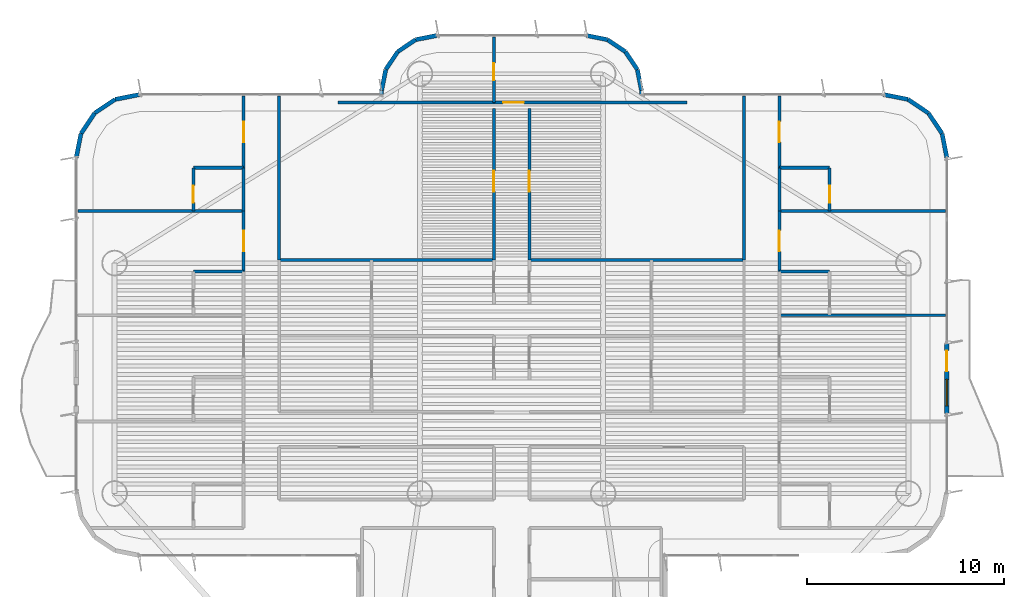
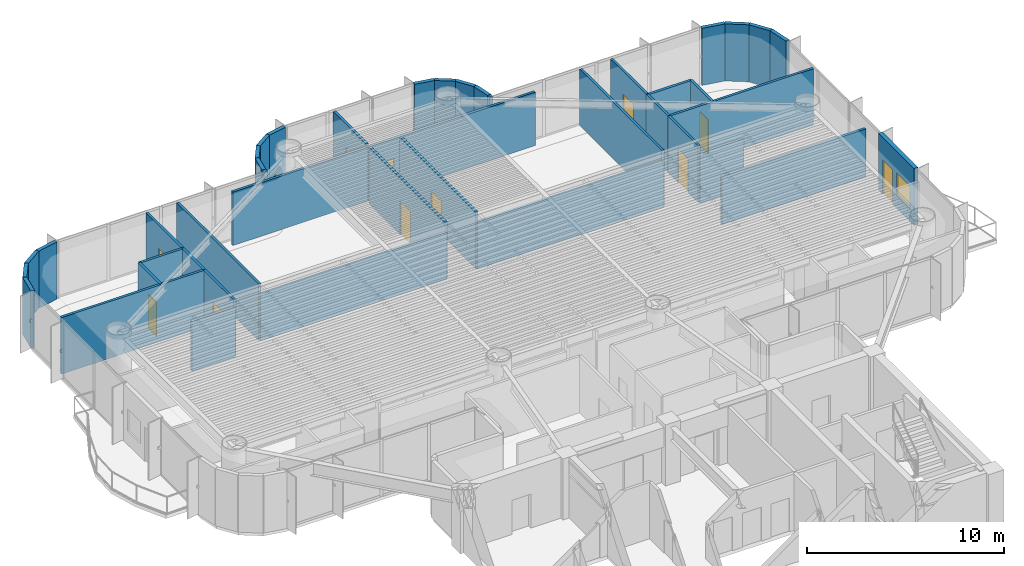
# One storey, part 12 of 17: 43 walls, 11 doors, 1 window, 12 openings.
"""IFC4 building model written with IfcOpenShell, lengths in metres."""

from ifc_helpers import new_model, si_unit, direction, frame, frame_2d, origin, origin_2d, place, context, subcontext, project, spatial, rectangle, extrude, source, transform, mapped, material, layer, layer_set, type_object, element, fill, save


model = new_model("IFC4")

# Units and contexts
model_context = context("Model", 3, precision=1e-05, world=origin(), true_north=direction((0.0, 1.0)))
body_context = subcontext(model_context, "Body", "Model", "MODEL_VIEW")
ifc_project = project(units=[si_unit("LENGTHUNIT", "METRE"), si_unit("AREAUNIT", "SQUARE_METRE"), si_unit("VOLUMEUNIT", "CUBIC_METRE"), si_unit("PLANEANGLEUNIT", "RADIAN"), si_unit("MASSUNIT", "GRAM", prefix="KILO")], contexts=[model_context])

# Site, building, storey
site_placement = place(None, origin())
site = spatial("IfcSite", under=ifc_project, at=site_placement, CompositionType="ELEMENT")
building_placement = place(site_placement, origin())
building = spatial("IfcBuilding", under=site, at=building_placement, Name="Brelvock Crest Care Tower", CompositionType="ELEMENT")
storey_placement = place(building_placement, frame((0.0, 0.0, 131.39990234375)))
storey = spatial("IfcBuildingStorey", under=building, at=storey_placement, Name="L33", CompositionType="ELEMENT", Elevation=131.39990234375)

# Wall, openings, door, window
ifc_material_1 = material(Name="Precast concrete N40 (40 MPa)", Category="concrete")
ifc_layer_1 = layer(ifc_material_1, 0.239990234375, Name="WL-EX1")
ifc_layer_set_1 = layer_set([ifc_layer_1], Name="Precast concrete N40 (40 MPa)")
wall_type_1 = type_object("IfcWallType", Name="WL-EX1", PredefinedType="SOLIDWALL", material=ifc_layer_set_1)
wall_1_placement = place(storey_placement, frame((58.10009765625, 34.800048828125, 0.0), z_axis=(0.0, 0.0, 1.0), x_axis=(0.0, -1.0, 0.0)))
wall_1 = element("IfcWall", 1, at=wall_1_placement, inside=storey, type_object=wall_type_1, Name="L33 Exterior Spandrel Wall WL-BAL-L33-E", PredefinedType="SOLIDWALL", context=body_context, shape_type="SweptSolid", body=[
    extrude(rectangle(XDim=3.60009765625, YDim=0.239990234375, at=frame_2d((1.800048828125, 0.0))), origin(), (0.0, 0.0, 1.0), 3.530029296875),
])
opening_1_placement = place(wall_1_placement, frame((0.39990234375, 0.0, 0.0)))
opening_1 = element("IfcOpeningElement", 2, at=opening_1_placement, cuts=wall_1, Name="Opening BD-1", PredefinedType="OPENING", context=body_context, shape_type="SweptSolid", body=[
    extrude(rectangle(XDim=1.050048828125, YDim=2.14990234375, at=origin_2d()), frame((0.52490234375, 0.1298828125, 1.074951171875), z_axis=(0.0, -1.0, 0.0), x_axis=(1.0, 0.0, 0.0)), (0.0, 0.0, 1.0), 0.260009765625),
])
opening_2_placement = place(wall_1_placement, frame((1.85009765625, 0.0, 0.85009765625)))
opening_2 = element("IfcOpeningElement", 3, at=opening_2_placement, cuts=wall_1, Name="Opening W-01", PredefinedType="OPENING", context=body_context, shape_type="SweptSolid", body=[
    extrude(rectangle(XDim=1.35009765625, YDim=1.35009765625, at=origin_2d()), frame((0.675048828125, 0.1298828125, 0.675048828125), z_axis=(0.0, -1.0, 0.0), x_axis=(1.0, 0.0, 0.0)), (0.0, 0.0, 1.0), 0.260009765625),
])
ifc_material_2 = material(Name="Dark Glass Double Glazed Low-E", Category="glass")
door_type_1 = type_object("IfcDoorType", Name="DR-BAL1", OperationType="NOTDEFINED", PredefinedType="DOOR", material=ifc_material_2)
shared_shape_1 = source(origin(), body_context, "Body", "SweptSolid", [
    extrude(rectangle(XDim=1.050048828125, YDim=2.14990234375, at=origin_2d()), frame((0.52490234375, 0.02490234375, 1.074951171875), z_axis=(0.0, -1.0, 0.0), x_axis=(1.0, 0.0, 0.0)), (0.0, 0.0, 1.0), 0.050048828125),
])
door_1_placement = place(opening_1_placement, origin())
door_1 = element("IfcDoor", 4, at=door_1_placement, inside=storey, type_object=door_type_1, Name="L33 E Wave Balcony Glazed Door", OperationType="SINGLE_SWING_RIGHT", OverallHeight=2.14990234375, OverallWidth=1.050048828125, PredefinedType="DOOR", context=body_context, shape_type="MappedRepresentation", body=[
    mapped(shared_shape_1, transform((0.0, 0.0, 0.0), x_axis=(1.0, 0.0, 0.0), y_axis=(0.0, 1.0, 0.0), z_axis=(0.0, 0.0, 1.0), scale=1.0)),
])
fill(opening_1, door_1)
window_type = type_object("IfcWindowType", Name="WN-EX1", PartitioningType="SINGLE_PANEL", PredefinedType="WINDOW", material=ifc_material_2)
shared_shape_2 = source(origin(), body_context, "Body", "SweptSolid", [
    extrude(rectangle(XDim=1.35009765625, YDim=1.35009765625, at=origin_2d()), frame((0.675048828125, 0.030029296875, 0.675048828125), z_axis=(0.0, -1.0, 0.0), x_axis=(1.0, 0.0, 0.0)), (0.0, 0.0, 1.0), 0.06005859375),
])
window_placement = place(opening_2_placement, origin())
window = element("IfcWindow", 5, at=window_placement, inside=storey, type_object=window_type, Name="L33 E Suite Casement Window", OverallHeight=1.35009765625, OverallWidth=1.35009765625, PartitioningType="SINGLE_PANEL", PredefinedType="WINDOW", context=body_context, shape_type="MappedRepresentation", body=[
    mapped(shared_shape_2, transform((0.0, 0.0, 0.0), x_axis=(1.0, 0.0, 0.0), y_axis=(0.0, 1.0, 0.0), z_axis=(0.0, 0.0, 1.0), scale=1.0)),
])
fill(opening_2, window)

# Walls
ifc_layer_2 = layer(ifc_material_1, 0.215087890625, Name="WL-EX2")
ifc_layer_set_2 = layer_set([ifc_layer_2], Name="Precast concrete N40 (40 MPa)")
wall_type_2 = type_object("IfcWallType", Name="WL-EX2", PredefinedType="SOLIDWALL", material=ifc_layer_set_2)
for number, where, z_axis, x_axis, name in (
    (6, (13.89990234375, 44.199951171875, 0.0), (0.0, 0.0, 1.0), (0.195138390419, 0.980775717779, 0.0), "L33 Rounded Corner Wall 18"),
    (7, (14.1435546875, 45.424560546875, 0.0), (0.0, 0.0, 1.0), (0.555692485475, 0.831387912822, 0.0), "L33 Rounded Corner Wall 19"),
    (8, (14.83740234375, 46.462646484375, 0.0), (0.0, 0.0, 1.0), (0.831387912822, 0.555692485475, 0.0), "L33 Rounded Corner Wall 20"),
    (9, (15.87548828125, 47.156494140625, 0.0), (0.0, 0.0, 1.0), (0.980813122964, 0.194950295773, 0.0), "L33 Rounded Corner Wall 21"),
):
    element("IfcWall", number, at=place(storey_placement, frame(where, z_axis=z_axis, x_axis=x_axis)), inside=storey, type_object=wall_type_2, Name=name, PredefinedType="SOLIDWALL", context=body_context, shape_type="SweptSolid", body=[
        extrude(rectangle(XDim=1.24853515625, YDim=0.215087890625, at=frame_2d((0.624267578125, 0.0))), origin(), (0.0, 0.0, 1.0), 3.530029296875),
    ])
wall_2_placement = place(storey_placement, frame((29.39990234375, 47.39990234375, 0.0), z_axis=(0.0, 0.0, 1.0), x_axis=(0.0, 1.0, 0.0)))
element("IfcWall", 10, at=wall_2_placement, inside=storey, type_object=wall_type_2, Name="L33 Rounded Corner Wall 23", PredefinedType="SOLIDWALL", context=body_context, shape_type="SweptSolid", body=[
    extrude(rectangle(XDim=0.2001953125, YDim=0.215087890625, at=frame_2d((0.10009765625, 0.0))), origin(), (0.0, 0.0, 1.0), 3.530029296875),
])
wall_3_placement = place(storey_placement, frame((29.39990234375, 47.60009765625, 0.0), z_axis=(0.0, 0.0, 1.0), x_axis=(0.195127417394, 0.980777900945, 0.0)))
element("IfcWall", 11, at=wall_3_placement, inside=storey, type_object=wall_type_2, Name="L33 Rounded Corner Wall 24", PredefinedType="SOLIDWALL", context=body_context, shape_type="SweptSolid", body=[
    extrude(rectangle(XDim=1.09228515625, YDim=0.215087890625, at=frame_2d((0.546142578125, 0.0))), origin(), (0.0, 0.0, 1.0), 3.530029296875),
])
wall_4_placement = place(storey_placement, frame((29.613037109375, 48.67138671875, 0.0), z_axis=(0.0, 0.0, 1.0), x_axis=(0.555679482341, 0.831396603857, 0.0)))
element("IfcWall", 12, at=wall_4_placement, inside=storey, type_object=wall_type_2, Name="L33 Rounded Corner Wall 25", PredefinedType="SOLIDWALL", context=body_context, shape_type="SweptSolid", body=[
    extrude(rectangle(XDim=1.0927734375, YDim=0.215087890625, at=frame_2d((0.54638671875, 0.0))), origin(), (0.0, 0.0, 1.0), 3.530029296875),
])
for number, where, z_axis, x_axis, name in (
    (13, (30.22021484375, 49.579833984375, 0.0), (0.0, 0.0, 1.0), (0.831327592857, 0.555782721353, 0.0), "L33 Rounded Corner Wall 26"),
    (14, (31.12841796875, 50.18701171875, 0.0), (0.0, 0.0, 1.0), (0.980829143587, 0.194869677195, 0.0), "L33 Rounded Corner Wall 27"),
    (15, (39.800048828125, 50.39990234375, 0.0), (0.0, 0.0, 1.0), (0.980829143587, -0.194869677195, 0.0), "L33 Rounded Corner Wall 29"),
    (16, (40.87158203125, 50.18701171875, 0.0), (0.0, 0.0, 1.0), (0.831327592857, -0.555782721353, 0.0), "L33 Rounded Corner Wall 30"),
):
    element("IfcWall", number, at=place(storey_placement, frame(where, z_axis=z_axis, x_axis=x_axis)), inside=storey, type_object=wall_type_2, Name=name, PredefinedType="SOLIDWALL", context=body_context, shape_type="SweptSolid", body=[
        extrude(rectangle(XDim=1.092529296875, YDim=0.215087890625, at=frame_2d((0.54638671875, 0.0))), origin(), (0.0, 0.0, 1.0), 3.530029296875),
    ])
wall_5_placement = place(storey_placement, frame((41.77978515625, 49.579833984375, 0.0), z_axis=(0.0, 0.0, 1.0), x_axis=(0.555679482341, -0.831396603857, 0.0)))
element("IfcWall", 17, at=wall_5_placement, inside=storey, type_object=wall_type_2, Name="L33 Rounded Corner Wall 31", PredefinedType="SOLIDWALL", context=body_context, shape_type="SweptSolid", body=[
    extrude(rectangle(XDim=1.0927734375, YDim=0.215087890625, at=frame_2d((0.54638671875, 0.0))), origin(), (0.0, 0.0, 1.0), 3.530029296875),
])
wall_6_placement = place(storey_placement, frame((42.386962890625, 48.67138671875, 0.0), z_axis=(0.0, 0.0, 1.0), x_axis=(0.195127417394, -0.980777900945, 0.0)))
element("IfcWall", 18, at=wall_6_placement, inside=storey, type_object=wall_type_2, Name="L33 Rounded Corner Wall 32", PredefinedType="SOLIDWALL", context=body_context, shape_type="SweptSolid", body=[
    extrude(rectangle(XDim=1.09228515625, YDim=0.215087890625, at=frame_2d((0.546142578125, 0.0))), origin(), (0.0, 0.0, 1.0), 3.530029296875),
])
wall_7_placement = place(storey_placement, frame((42.60009765625, 47.60009765625, 0.0), z_axis=(0.0, 0.0, 1.0), x_axis=(0.0, -1.0, 0.0)))
element("IfcWall", 19, at=wall_7_placement, inside=storey, type_object=wall_type_2, Name="L33 Rounded Corner Wall 33", PredefinedType="SOLIDWALL", context=body_context, shape_type="SweptSolid", body=[
    extrude(rectangle(XDim=0.2001953125, YDim=0.215087890625, at=frame_2d((0.10009765625, 0.0))), origin(), (0.0, 0.0, 1.0), 3.530029296875),
])
for number, where, z_axis, x_axis, name in (
    (20, (54.89990234375, 47.39990234375, 0.0), (0.0, 0.0, 1.0), (0.980813122964, -0.194950295773, 0.0), "L33 Rounded Corner Wall 35"),
    (21, (56.12451171875, 47.156494140625, 0.0), (0.0, 0.0, 1.0), (0.831387912822, -0.555692485475, 0.0), "L33 Rounded Corner Wall 36"),
    (22, (57.16259765625, 46.462646484375, 0.0), (0.0, 0.0, 1.0), (0.555692485475, -0.831387912822, 0.0), "L33 Rounded Corner Wall 37"),
    (23, (57.8564453125, 45.424560546875, 0.0), (0.0, 0.0, 1.0), (0.195138390419, -0.980775717779, 0.0), "L33 Rounded Corner Wall 38"),
):
    element("IfcWall", number, at=place(storey_placement, frame(where, z_axis=z_axis, x_axis=x_axis)), inside=storey, type_object=wall_type_2, Name=name, PredefinedType="SOLIDWALL", context=body_context, shape_type="SweptSolid", body=[
        extrude(rectangle(XDim=1.24853515625, YDim=0.215087890625, at=frame_2d((0.624267578125, 0.0))), origin(), (0.0, 0.0, 1.0), 3.530029296875),
    ])
ifc_material_3 = material(Name="Masonry Blockwork Acoustic Partition", Category="masonry")
ifc_layer_3 = layer(ifc_material_3, 0.14990234375, Name="WL-INT1")
ifc_layer_set_3 = layer_set([ifc_layer_3], Name="Masonry Blockwork Acoustic Partition")
wall_type_3 = type_object("IfcWallType", Name="WL-INT1", PredefinedType="PARTITIONING", material=ifc_layer_set_3)
wall_8_placement = place(storey_placement, frame((49.60009765625, 36.199951171875, 0.0), z_axis=(0.0, 0.0, 1.0), x_axis=(1.0, 0.0, 0.0)))
element("IfcWall", 24, at=wall_8_placement, inside=storey, type_object=wall_type_3, Name="L33 Interior Wall WL-BX-L33-CS-SNE2-N", PredefinedType="PARTITIONING", context=body_context, shape_type="SweptSolid", body=[
    extrude(rectangle(XDim=8.419921875, YDim=0.14990234375, at=frame_2d((4.2099609375, 0.0))), origin(), (0.0, 0.0, 1.0), 2.982177734375),
])
for number, where, z_axis, x_axis, name in (
    (25, (24.199951171875, 39.0, 0.0), (0.0, 0.0, 1.0), (1.0, 0.0, 0.0), "L33 Interior Wall WL-BX-L33-INWD-S"),
    (26, (36.89990234375, 39.0, 0.0), (0.0, 0.0, 1.0), (1.0, 0.0, 0.0), "L33 Interior Wall WL-BX-L33-INED-S"),
):
    element("IfcWall", number, at=place(storey_placement, frame(where, z_axis=z_axis, x_axis=x_axis)), inside=storey, type_object=wall_type_3, Name=name, PredefinedType="PARTITIONING", context=body_context, shape_type="SweptSolid", body=[
        extrude(rectangle(XDim=10.900146484375, YDim=0.14990234375, at=frame_2d((5.4501953125, 0.0))), origin(), (0.0, 0.0, 1.0), 2.903076171875),
    ])
for number, where, z_axis, x_axis, name in (
    (27, (13.97998046875, 41.5, 0.0), (0.0, 0.0, 1.0), (1.0, 0.0, 0.0), "L33 Interior Wall WL-BX-L33-CS-SNW3-N"),
    (28, (49.60009765625, 41.5, 0.0), (0.0, 0.0, 1.0), (1.0, 0.0, 0.0), "L33 Interior Wall WL-BX-L33-CS-SNE3-N"),
):
    element("IfcWall", number, at=place(storey_placement, frame(where, z_axis=z_axis, x_axis=x_axis)), inside=storey, type_object=wall_type_3, Name=name, PredefinedType="PARTITIONING", context=body_context, shape_type="SweptSolid", body=[
        extrude(rectangle(XDim=8.419921875, YDim=0.14990234375, at=frame_2d((4.2099609375, 0.0))), origin(), (0.0, 0.0, 1.0), 3.5),
    ])
wall_9_placement = place(storey_placement, frame((27.19775390625, 47.0, 0.0), z_axis=(0.0, 0.0, 1.0), x_axis=(1.0, 0.0, 0.0)))
element("IfcWall", 29, at=wall_9_placement, inside=storey, type_object=wall_type_3, Name="L33 Interior Wall WL-BX-L33-SNKT-S", PredefinedType="PARTITIONING", context=body_context, shape_type="SweptSolid", body=[
    extrude(rectangle(XDim=7.90234375, YDim=0.14990234375, at=frame_2d((3.951171875, 0.0))), origin(), (0.0, 0.0, 1.0), 3.30810546875),
])

# Wall, opening, door
wall_10_placement = place(storey_placement, frame((35.10009765625, 47.0, 0.0), z_axis=(0.0, 0.0, 1.0), x_axis=(1.0, 0.0, 0.0)))
wall_10 = element("IfcWall", 30, at=wall_10_placement, inside=storey, type_object=wall_type_3, Name="L33 Interior Wall WL-RM-L33-NHUB", PredefinedType="PARTITIONING", context=body_context, shape_type="SweptSolid", body=[
    extrude(rectangle(XDim=9.7998046875, YDim=0.14990234375, at=frame_2d((4.89990234375, 0.0))), origin(), (0.0, 0.0, 1.0), 3.30810546875),
])
opening_3_placement = place(wall_10_placement, frame((0.47509765625, 0.0, 0.0)))
opening_3 = element("IfcOpeningElement", 31, at=opening_3_placement, cuts=wall_10, Name="Opening CLD-1", PredefinedType="OPENING", context=body_context, shape_type="SweptSolid", body=[
    extrude(rectangle(XDim=1.050048828125, YDim=2.10009765625, at=origin_2d()), frame((0.52490234375, 0.0849609375, 1.050048828125), z_axis=(0.0, -1.0, 0.0), x_axis=(1.0, 0.0, 0.0)), (0.0, 0.0, 1.0), 0.169921875),
])
ifc_material_4 = material(Name="Engineered Hardwood Timber", Category="wood")
door_type_2 = type_object("IfcDoorType", Name="DR-CLN1", OperationType="NOTDEFINED", PredefinedType="DOOR", material=ifc_material_4)
shared_shape_3 = source(origin(), body_context, "Body", "SweptSolid", [
    extrude(rectangle(XDim=1.050048828125, YDim=2.10009765625, at=origin_2d()), frame((0.52490234375, 0.02490234375, 1.050048828125), z_axis=(0.0, -1.0, 0.0), x_axis=(1.0, 0.0, 0.0)), (0.0, 0.0, 1.0), 0.050048828125),
])
door_2_placement = place(opening_3_placement, origin())
door_2 = element("IfcDoor", 32, at=door_2_placement, inside=storey, type_object=door_type_2, Name="L33 North Panorama Sunroom Door NHUB", OperationType="SINGLE_SWING_LEFT", OverallHeight=2.10009765625, OverallWidth=1.050048828125, PredefinedType="DOOR", context=body_context, shape_type="MappedRepresentation", body=[
    mapped(shared_shape_3, transform((0.0, 0.0, 0.0), x_axis=(1.0, 0.0, 0.0), y_axis=(0.0, 1.0, 0.0), z_axis=(0.0, 0.0, 1.0), scale=1.0)),
])
fill(opening_3, door_2)

wall_11_placement = place(storey_placement, frame((22.39990234375, 38.426025390625, 0.0), z_axis=(0.0, 0.0, 1.0), x_axis=(0.0, 1.0, 0.0)))
wall_11 = element("IfcWall", 33, at=wall_11_placement, inside=storey, type_object=wall_type_3, Name="L33 Interior Wall WL-CENT-L33-SNW3", PredefinedType="PARTITIONING", context=body_context, shape_type="SweptSolid", body=[
    extrude(rectangle(XDim=3.073974609375, YDim=0.14990234375, at=frame_2d((1.537109375, 0.0))), origin(), (0.0, 0.0, 1.0), 3.5),
])
opening_4_placement = place(wall_11_placement, frame((1.01708984375, 0.0, 0.0)))
opening_4 = element("IfcOpeningElement", 34, at=opening_4_placement, cuts=wall_11, Name="Opening CD-1", PredefinedType="OPENING", context=body_context, shape_type="SweptSolid", body=[
    extrude(rectangle(XDim=1.050048828125, YDim=2.10009765625, at=origin_2d()), frame((0.52490234375, 0.0849609375, 1.050048828125), z_axis=(0.0, -1.0, 0.0), x_axis=(1.0, 0.0, 0.0)), (0.0, 0.0, 1.0), 0.169921875),
])
door_type_3 = type_object("IfcDoorType", Name="DR-CARE1", OperationType="NOTDEFINED", PredefinedType="DOOR", material=ifc_material_4)
shared_shape_4 = source(origin(), body_context, "Body", "SweptSolid", [
    extrude(rectangle(XDim=1.050048828125, YDim=2.10009765625, at=origin_2d()), frame((0.52490234375, 0.02490234375, 1.050048828125), z_axis=(0.0, -1.0, 0.0), x_axis=(1.0, 0.0, 0.0)), (0.0, 0.0, 1.0), 0.050048828125),
])
door_3_placement = place(opening_4_placement, origin())
door_3 = element("IfcDoor", 35, at=door_3_placement, inside=storey, type_object=door_type_3, Name="L33 Care Suite Door SNW3", OperationType="SINGLE_SWING_LEFT", OverallHeight=2.10009765625, OverallWidth=1.050048828125, PredefinedType="DOOR", context=body_context, shape_type="MappedRepresentation", body=[
    mapped(shared_shape_4, transform((0.0, 0.0, 0.0), x_axis=(1.0, 0.0, 0.0), y_axis=(0.0, 1.0, 0.0), z_axis=(0.0, 0.0, 1.0), scale=1.0)),
])
fill(opening_4, door_3)

wall_12_placement = place(storey_placement, frame((22.39990234375, 43.68408203125, 0.0), z_axis=(0.0, 0.0, 1.0), x_axis=(0.0, 1.0, 0.0)))
wall_12 = element("IfcWall", 36, at=wall_12_placement, inside=storey, type_object=wall_type_3, Name="L33 Interior Wall WL-CENT-L33-SNW4", PredefinedType="PARTITIONING", context=body_context, shape_type="SweptSolid", body=[
    extrude(rectangle(XDim=3.63671875, YDim=0.14990234375, at=frame_2d((1.818359375, 0.0))), origin(), (0.0, 0.0, 1.0), 3.5),
])
opening_5_placement = place(wall_12_placement, frame((1.298095703125, 0.0, 0.0)))
opening_5 = element("IfcOpeningElement", 37, at=opening_5_placement, cuts=wall_12, Name="Opening CD-1", PredefinedType="OPENING", context=body_context, shape_type="SweptSolid", body=[
    extrude(rectangle(XDim=1.050048828125, YDim=2.10009765625, at=origin_2d()), frame((0.52490234375, 0.0849609375, 1.050048828125), z_axis=(0.0, -1.0, 0.0), x_axis=(1.0, 0.0, 0.0)), (0.0, 0.0, 1.0), 0.169921875),
])
door_4_placement = place(opening_5_placement, origin())
door_4 = element("IfcDoor", 38, at=door_4_placement, inside=storey, type_object=door_type_3, Name="L33 Care Suite Door SNW4", OperationType="SINGLE_SWING_LEFT", OverallHeight=2.10009765625, OverallWidth=1.050048828125, PredefinedType="DOOR", context=body_context, shape_type="MappedRepresentation", body=[
    mapped(shared_shape_4, transform((0.0, 0.0, 0.0), x_axis=(1.0, 0.0, 0.0), y_axis=(0.0, 1.0, 0.0), z_axis=(0.0, 0.0, 1.0), scale=1.0)),
])
fill(opening_5, door_4)

# Wall
wall_13_placement = place(storey_placement, frame((24.199951171875, 39.0, 0.0), z_axis=(0.0, 0.0, 1.0), x_axis=(0.0, 1.0, 0.0)))
element("IfcWall", 39, at=wall_13_placement, inside=storey, type_object=wall_type_3, Name="L33 Interior Wall WL-BX-L33-INWD-W", PredefinedType="PARTITIONING", context=body_context, shape_type="SweptSolid", body=[
    extrude(rectangle(XDim=8.32080078125, YDim=0.14990234375, at=frame_2d((4.160400390625, 0.0))), origin(), (0.0, 0.0, 1.0), 3.5),
])

# Wall, opening, door
wall_14_placement = place(storey_placement, frame((35.10009765625, 39.0, 0.0), z_axis=(0.0, 0.0, 1.0), x_axis=(0.0, 1.0, 0.0)))
wall_14 = element("IfcWall", 40, at=wall_14_placement, inside=storey, type_object=wall_type_3, Name="L33 Interior Wall WL-RM-L33-INWD", PredefinedType="PARTITIONING", context=body_context, shape_type="SweptSolid", body=[
    extrude(rectangle(XDim=7.699951171875, YDim=0.14990234375, at=frame_2d((3.85009765625, 0.0))), origin(), (0.0, 0.0, 1.0), 3.5),
])
opening_6_placement = place(wall_14_placement, frame((3.47509765625, 0.0, 0.0)))
opening_6 = element("IfcOpeningElement", 41, at=opening_6_placement, cuts=wall_14, Name="Opening CLD-1", PredefinedType="OPENING", context=body_context, shape_type="SweptSolid", body=[
    extrude(rectangle(XDim=1.050048828125, YDim=2.10009765625, at=origin_2d()), frame((0.52490234375, 0.0849609375, 1.050048828125), z_axis=(0.0, -1.0, 0.0), x_axis=(1.0, 0.0, 0.0)), (0.0, 0.0, 1.0), 0.169921875),
])
door_5_placement = place(opening_6_placement, origin())
door_5 = element("IfcDoor", 42, at=door_5_placement, inside=storey, type_object=door_type_2, Name="L33 Nursing Ward Medication Clinic Door INWD", OperationType="SINGLE_SWING_LEFT", OverallHeight=2.10009765625, OverallWidth=1.050048828125, PredefinedType="DOOR", context=body_context, shape_type="MappedRepresentation", body=[
    mapped(shared_shape_3, transform((0.0, 0.0, 0.0), x_axis=(1.0, 0.0, 0.0), y_axis=(0.0, 1.0, 0.0), z_axis=(0.0, 0.0, 1.0), scale=1.0)),
])
fill(opening_6, door_5)

wall_15_placement = place(storey_placement, frame((35.10009765625, 47.0, 0.0), z_axis=(0.0, 0.0, 1.0), x_axis=(0.0, 1.0, 0.0)))
wall_15 = element("IfcWall", 43, at=wall_15_placement, inside=storey, type_object=wall_type_3, Name="L33 Interior Wall WL-RM-L33-SNKT", PredefinedType="PARTITIONING", context=body_context, shape_type="SweptSolid", body=[
    extrude(rectangle(XDim=3.320068359375, YDim=0.14990234375, at=frame_2d((1.66015625, 0.0))), origin(), (0.0, 0.0, 1.0), 3.5),
])
opening_7_placement = place(wall_15_placement, frame((1.139892578125, 0.0, 0.0)))
opening_7 = element("IfcOpeningElement", 44, at=opening_7_placement, cuts=wall_15, Name="Opening ID-1", PredefinedType="OPENING", context=body_context, shape_type="SweptSolid", body=[
    extrude(rectangle(XDim=0.860107421875, YDim=2.10009765625, at=origin_2d()), frame((0.43017578125, 0.0849609375, 1.050048828125), z_axis=(0.0, -1.0, 0.0), x_axis=(1.0, 0.0, 0.0)), (0.0, 0.0, 1.0), 0.169921875),
])
door_type_4 = type_object("IfcDoorType", Name="DR-INT1", OperationType="NOTDEFINED", PredefinedType="DOOR", material=ifc_material_4)
shared_shape_5 = source(origin(), body_context, "Body", "SweptSolid", [
    extrude(rectangle(XDim=0.860107421875, YDim=2.10009765625, at=origin_2d()), frame((0.43017578125, 0.02490234375, 1.050048828125), z_axis=(0.0, -1.0, 0.0), x_axis=(1.0, 0.0, 0.0)), (0.0, 0.0, 1.0), 0.050048828125),
])
door_6_placement = place(opening_7_placement, origin())
door_6 = element("IfcDoor", 45, at=door_6_placement, inside=storey, type_object=door_type_4, Name="L33 Ward Finishing Kitchen Door SNKT", OperationType="SINGLE_SWING_LEFT", OverallHeight=2.10009765625, OverallWidth=0.860107421875, PredefinedType="DOOR", context=body_context, shape_type="MappedRepresentation", body=[
    mapped(shared_shape_5, transform((0.0, 0.0, 0.0), x_axis=(1.0, 0.0, 0.0), y_axis=(0.0, 1.0, 0.0), z_axis=(0.0, 0.0, 1.0), scale=1.0)),
])
fill(opening_7, door_6)

wall_16_placement = place(storey_placement, frame((36.89990234375, 39.0, 0.0), z_axis=(0.0, 0.0, 1.0), x_axis=(0.0, 1.0, 0.0)))
wall_16 = element("IfcWall", 46, at=wall_16_placement, inside=storey, type_object=wall_type_3, Name="L33 Interior Wall WL-RM-L33-INED", PredefinedType="PARTITIONING", context=body_context, shape_type="SweptSolid", body=[
    extrude(rectangle(XDim=7.699951171875, YDim=0.14990234375, at=frame_2d((3.85009765625, 0.0))), origin(), (0.0, 0.0, 1.0), 3.5),
])
opening_8_placement = place(wall_16_placement, frame((3.47509765625, 0.0, 0.0)))
opening_8 = element("IfcOpeningElement", 47, at=opening_8_placement, cuts=wall_16, Name="Opening CLD-1", PredefinedType="OPENING", context=body_context, shape_type="SweptSolid", body=[
    extrude(rectangle(XDim=1.050048828125, YDim=2.10009765625, at=origin_2d()), frame((0.52490234375, 0.0849609375, 1.050048828125), z_axis=(0.0, -1.0, 0.0), x_axis=(1.0, 0.0, 0.0)), (0.0, 0.0, 1.0), 0.169921875),
])
door_7_placement = place(opening_8_placement, origin())
door_7 = element("IfcDoor", 48, at=door_7_placement, inside=storey, type_object=door_type_2, Name="L33 Resident Family Dining Salon Door INED", OperationType="SINGLE_SWING_LEFT", OverallHeight=2.10009765625, OverallWidth=1.050048828125, PredefinedType="DOOR", context=body_context, shape_type="MappedRepresentation", body=[
    mapped(shared_shape_3, transform((0.0, 0.0, 0.0), x_axis=(1.0, 0.0, 0.0), y_axis=(0.0, 1.0, 0.0), z_axis=(0.0, 0.0, 1.0), scale=1.0)),
])
fill(opening_8, door_7)

# Wall
wall_17_placement = place(storey_placement, frame((47.800048828125, 39.0, 0.0), z_axis=(0.0, 0.0, 1.0), x_axis=(0.0, 1.0, 0.0)))
element("IfcWall", 49, at=wall_17_placement, inside=storey, type_object=wall_type_3, Name="L33 Interior Wall WL-BX-L33-INED-E", PredefinedType="PARTITIONING", context=body_context, shape_type="SweptSolid", body=[
    extrude(rectangle(XDim=8.32080078125, YDim=0.14990234375, at=frame_2d((4.160400390625, 0.0))), origin(), (0.0, 0.0, 1.0), 3.5),
])

# Wall, opening, door
wall_18_placement = place(storey_placement, frame((49.60009765625, 38.426025390625, 0.0), z_axis=(0.0, 0.0, 1.0), x_axis=(0.0, 1.0, 0.0)))
wall_18 = element("IfcWall", 50, at=wall_18_placement, inside=storey, type_object=wall_type_3, Name="L33 Interior Wall WL-CENT-L33-SNE3", PredefinedType="PARTITIONING", context=body_context, shape_type="SweptSolid", body=[
    extrude(rectangle(XDim=3.073974609375, YDim=0.14990234375, at=frame_2d((1.537109375, 0.0))), origin(), (0.0, 0.0, 1.0), 3.5),
])
opening_9_placement = place(wall_18_placement, frame((1.01708984375, 0.0, 0.0)))
opening_9 = element("IfcOpeningElement", 51, at=opening_9_placement, cuts=wall_18, Name="Opening CD-1", PredefinedType="OPENING", context=body_context, shape_type="SweptSolid", body=[
    extrude(rectangle(XDim=1.050048828125, YDim=2.10009765625, at=origin_2d()), frame((0.52490234375, 0.0849609375, 1.050048828125), z_axis=(0.0, -1.0, 0.0), x_axis=(1.0, 0.0, 0.0)), (0.0, 0.0, 1.0), 0.169921875),
])
door_8_placement = place(opening_9_placement, origin())
door_8 = element("IfcDoor", 52, at=door_8_placement, inside=storey, type_object=door_type_3, Name="L33 Care Suite Door SNE3", OperationType="SINGLE_SWING_LEFT", OverallHeight=2.10009765625, OverallWidth=1.050048828125, PredefinedType="DOOR", context=body_context, shape_type="MappedRepresentation", body=[
    mapped(shared_shape_4, transform((0.0, 0.0, 0.0), x_axis=(1.0, 0.0, 0.0), y_axis=(0.0, 1.0, 0.0), z_axis=(0.0, 0.0, 1.0), scale=1.0)),
])
fill(opening_9, door_8)

wall_19_placement = place(storey_placement, frame((49.60009765625, 43.68408203125, 0.0), z_axis=(0.0, 0.0, 1.0), x_axis=(0.0, 1.0, 0.0)))
wall_19 = element("IfcWall", 53, at=wall_19_placement, inside=storey, type_object=wall_type_3, Name="L33 Interior Wall WL-CENT-L33-SNE4", PredefinedType="PARTITIONING", context=body_context, shape_type="SweptSolid", body=[
    extrude(rectangle(XDim=3.63671875, YDim=0.14990234375, at=frame_2d((1.818359375, 0.0))), origin(), (0.0, 0.0, 1.0), 3.5),
])
opening_10_placement = place(wall_19_placement, frame((1.298095703125, 0.0, 0.0)))
opening_10 = element("IfcOpeningElement", 54, at=opening_10_placement, cuts=wall_19, Name="Opening CD-1", PredefinedType="OPENING", context=body_context, shape_type="SweptSolid", body=[
    extrude(rectangle(XDim=1.050048828125, YDim=2.10009765625, at=origin_2d()), frame((0.52490234375, 0.0849609375, 1.050048828125), z_axis=(0.0, -1.0, 0.0), x_axis=(1.0, 0.0, 0.0)), (0.0, 0.0, 1.0), 0.169921875),
])
door_9_placement = place(opening_10_placement, origin())
door_9 = element("IfcDoor", 55, at=door_9_placement, inside=storey, type_object=door_type_3, Name="L33 Care Suite Door SNE4", OperationType="SINGLE_SWING_LEFT", OverallHeight=2.10009765625, OverallWidth=1.050048828125, PredefinedType="DOOR", context=body_context, shape_type="MappedRepresentation", body=[
    mapped(shared_shape_4, transform((0.0, 0.0, 0.0), x_axis=(1.0, 0.0, 0.0), y_axis=(0.0, 1.0, 0.0), z_axis=(0.0, 0.0, 1.0), scale=1.0)),
])
fill(opening_10, door_9)

# Walls
ifc_material_5 = material(Name="Gypsum Plasterboard Partition", Category="gypsum")
ifc_layer_4 = layer(ifc_material_5, 0.159912109375, Name="WL-PLM1")
ifc_layer_set_4 = layer_set([ifc_layer_4], Name="Gypsum Plasterboard Partition")
wall_type_4 = type_object("IfcWallType", Name="WL-PLM1", PredefinedType="PLUMBINGWALL", material=ifc_layer_set_4)
for number, where, z_axis, x_axis, name in (
    (56, (19.85009765625, 38.426025390625, 0.0), (0.0, 0.0, 1.0), (1.0, 0.0, 0.0), "L33 Interior Wall WL-CENS2-L33-SNW3"),
    (57, (49.60009765625, 38.426025390625, 0.0), (0.0, 0.0, 1.0), (1.0, 0.0, 0.0), "L33 Interior Wall WL-CENS2-L33-SNE3"),
):
    element("IfcWall", number, at=place(storey_placement, frame(where, z_axis=z_axis, x_axis=x_axis)), inside=storey, type_object=wall_type_4, Name=name, PredefinedType="PLUMBINGWALL", context=body_context, shape_type="SweptSolid", body=[
        extrude(rectangle(XDim=2.5498046875, YDim=0.159912109375, at=frame_2d((1.27490234375, 0.0))), origin(), (0.0, 0.0, 1.0), 3.05517578125),
    ])
for number, where, z_axis, x_axis, name in (
    (58, (19.85009765625, 43.68408203125, 0.0), (0.0, 0.0, 1.0), (1.0, 0.0, 0.0), "L33 Interior Wall WL-CENS2-L33-SNW4"),
    (59, (49.60009765625, 43.68408203125, 0.0), (0.0, 0.0, 1.0), (1.0, 0.0, 0.0), "L33 Interior Wall WL-CENS2-L33-SNE4"),
):
    element("IfcWall", number, at=place(storey_placement, frame(where, z_axis=z_axis, x_axis=x_axis)), inside=storey, type_object=wall_type_4, Name=name, PredefinedType="PLUMBINGWALL", context=body_context, shape_type="SweptSolid", body=[
        extrude(rectangle(XDim=2.5498046875, YDim=0.159912109375, at=frame_2d((1.27490234375, 0.0))), origin(), (0.0, 0.0, 1.0), 3.5),
    ])

# Wall, opening, door
wall_20_placement = place(storey_placement, frame((19.85009765625, 41.5, 0.0), z_axis=(0.0, 0.0, 1.0), x_axis=(0.0, 1.0, 0.0)))
wall_20 = element("IfcWall", 60, at=wall_20_placement, inside=storey, type_object=wall_type_4, Name="L33 Interior Wall WL-CENS1-L33-SNW4", PredefinedType="PLUMBINGWALL", context=body_context, shape_type="SweptSolid", body=[
    extrude(rectangle(XDim=2.18408203125, YDim=0.159912109375, at=frame_2d((1.092041015625, 0.0))), origin(), (0.0, 0.0, 1.0), 3.5),
])
opening_11_placement = place(wall_20_placement, frame((0.419921875, 0.0, 0.0)))
opening_11 = element("IfcOpeningElement", 61, at=opening_11_placement, cuts=wall_20, Name="Opening WD-1", PredefinedType="OPENING", context=body_context, shape_type="SweptSolid", body=[
    extrude(rectangle(XDim=0.860107421875, YDim=2.10009765625, at=origin_2d()), frame((0.43017578125, 0.08984375, 1.050048828125), z_axis=(0.0, -1.0, 0.0), x_axis=(1.0, 0.0, 0.0)), (0.0, 0.0, 1.0), 0.179931640625),
])
door_type_5 = type_object("IfcDoorType", Name="DR-WC1", OperationType="NOTDEFINED", PredefinedType="DOOR", material=ifc_material_4)
shared_shape_6 = source(origin(), body_context, "Body", "SweptSolid", [
    extrude(rectangle(XDim=0.860107421875, YDim=2.10009765625, at=origin_2d()), frame((0.43017578125, 0.02490234375, 1.050048828125), z_axis=(0.0, -1.0, 0.0), x_axis=(1.0, 0.0, 0.0)), (0.0, 0.0, 1.0), 0.050048828125),
])
door_10_placement = place(opening_11_placement, origin())
door_10 = element("IfcDoor", 62, at=door_10_placement, inside=storey, type_object=door_type_5, Name="L33 Care En-Suite Door SNW4", OperationType="SINGLE_SWING_LEFT", OverallHeight=2.10009765625, OverallWidth=0.860107421875, PredefinedType="DOOR", context=body_context, shape_type="MappedRepresentation", body=[
    mapped(shared_shape_6, transform((0.0, 0.0, 0.0), x_axis=(1.0, 0.0, 0.0), y_axis=(0.0, 1.0, 0.0), z_axis=(0.0, 0.0, 1.0), scale=1.0)),
])
fill(opening_11, door_10)

# Walls
for number, where, z_axis, x_axis, name in (
    (63, (22.39990234375, 41.5, 0.0), (0.0, 0.0, 1.0), (0.0, 1.0, 0.0), "L33 Interior Wall WL-CENS0-L33-SNW4"),
    (64, (49.60009765625, 41.5, 0.0), (0.0, 0.0, 1.0), (0.0, 1.0, 0.0), "L33 Interior Wall WL-CENS0-L33-SNE4"),
):
    element("IfcWall", number, at=place(storey_placement, frame(where, z_axis=z_axis, x_axis=x_axis)), inside=storey, type_object=wall_type_4, Name=name, PredefinedType="PLUMBINGWALL", context=body_context, shape_type="SweptSolid", body=[
        extrude(rectangle(XDim=2.18408203125, YDim=0.159912109375, at=frame_2d((1.092041015625, 0.0))), origin(), (0.0, 0.0, 1.0), 3.5),
    ])

# Wall, opening, door
wall_21_placement = place(storey_placement, frame((52.14990234375, 41.5, 0.0), z_axis=(0.0, 0.0, 1.0), x_axis=(0.0, 1.0, 0.0)))
wall_21 = element("IfcWall", 65, at=wall_21_placement, inside=storey, type_object=wall_type_4, Name="L33 Interior Wall WL-CENS1-L33-SNE4", PredefinedType="PLUMBINGWALL", context=body_context, shape_type="SweptSolid", body=[
    extrude(rectangle(XDim=2.18408203125, YDim=0.159912109375, at=frame_2d((1.092041015625, 0.0))), origin(), (0.0, 0.0, 1.0), 3.5),
])
opening_12_placement = place(wall_21_placement, frame((0.419921875, 0.0, 0.0)))
opening_12 = element("IfcOpeningElement", 66, at=opening_12_placement, cuts=wall_21, Name="Opening WD-1", PredefinedType="OPENING", context=body_context, shape_type="SweptSolid", body=[
    extrude(rectangle(XDim=0.860107421875, YDim=2.10009765625, at=origin_2d()), frame((0.43017578125, 0.08984375, 1.050048828125), z_axis=(0.0, -1.0, 0.0), x_axis=(1.0, 0.0, 0.0)), (0.0, 0.0, 1.0), 0.179931640625),
])
door_11_placement = place(opening_12_placement, origin())
door_11 = element("IfcDoor", 67, at=door_11_placement, inside=storey, type_object=door_type_5, Name="L33 Care En-Suite Door SNE4", OperationType="SINGLE_SWING_RIGHT", OverallHeight=2.10009765625, OverallWidth=0.860107421875, PredefinedType="DOOR", context=body_context, shape_type="MappedRepresentation", body=[
    mapped(shared_shape_6, transform((0.0, 0.0, 0.0), x_axis=(1.0, 0.0, 0.0), y_axis=(0.0, 1.0, 0.0), z_axis=(0.0, 0.0, 1.0), scale=1.0)),
])
fill(opening_12, door_11)

save(model, "model.ifc")
